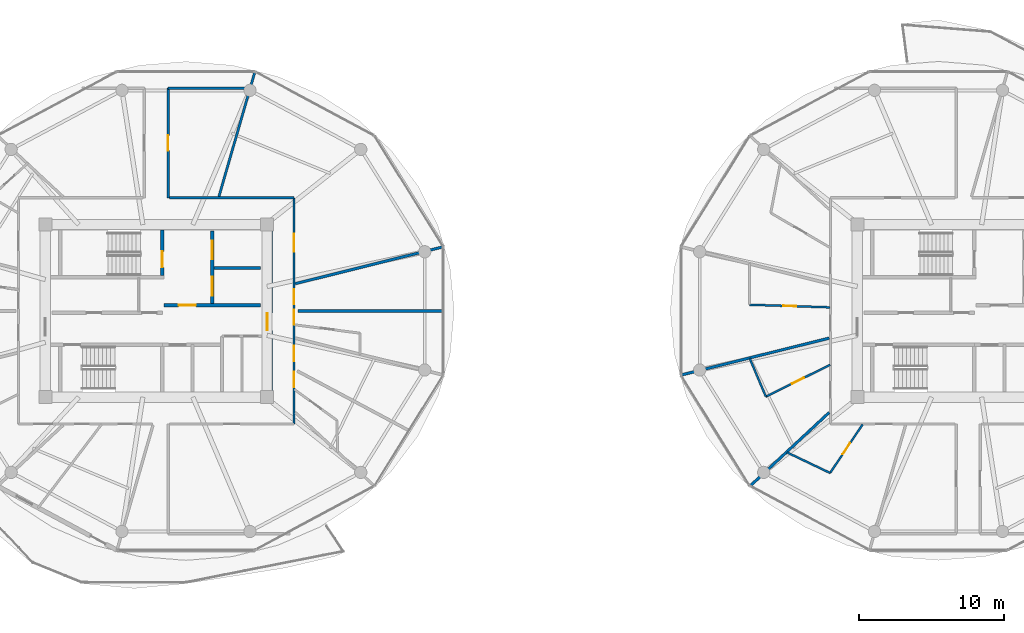
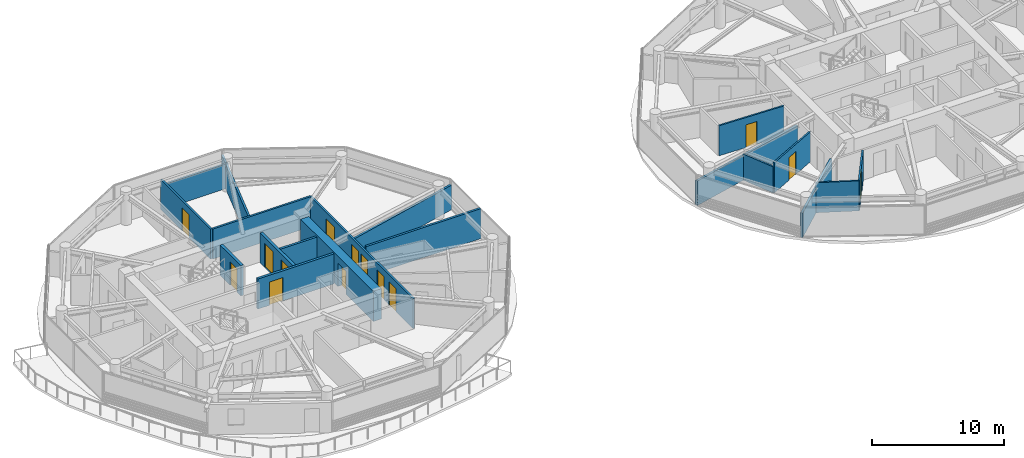
# One storey, part 15 of 24: 19 walls, 14 doors, 14 openings.
"""IFC4 building model written with IfcOpenShell, lengths in metres."""

from ifc_helpers import new_model, si_unit, direction, frame, frame_2d, origin, place, context, subcontext, project, spatial, rectangle, extrude, source, transform, mapped, material, layer, layer_set, type_object, type_shapes, element, fill, save


model = new_model("IFC4")

# Units and contexts
model_context = context("Model", 3, precision=1e-05, world=origin(), true_north=direction((0.0, 1.0)))
body_context = subcontext(model_context, "Body", "Model", "MODEL_VIEW")
ifc_project = project(units=[si_unit("LENGTHUNIT", "METRE"), si_unit("AREAUNIT", "SQUARE_METRE"), si_unit("VOLUMEUNIT", "CUBIC_METRE"), si_unit("PLANEANGLEUNIT", "RADIAN"), si_unit("MASSUNIT", "GRAM", prefix="KILO")], contexts=[model_context])

# Site, building, storey
site_placement = place(None, origin())
site = spatial("IfcSite", under=ifc_project, at=site_placement, CompositionType="ELEMENT")
building_placement = place(site_placement, origin())
building = spatial("IfcBuilding", under=site, at=building_placement, Name="Norrkilde Senior Care Towers", CompositionType="ELEMENT")
storey_placement = place(building_placement, frame((0.0, 0.0, 105.39990234375)))
storey = spatial("IfcBuildingStorey", under=building, at=storey_placement, Name="L32", CompositionType="ELEMENT", Elevation=105.39990234375)

# Wall, opening, door
ifc_material_1 = material(Name="Concrete C60/75", Category="concrete")
ifc_layer_1 = layer(ifc_material_1, 0.719970703125)
ifc_layer_set_1 = layer_set([ifc_layer_1], Name="Concrete C60/75")
wall_type_1 = type_object("IfcWallType", Name="Core Shear Wall Z2 720", PredefinedType="SHEAR", material=ifc_layer_set_1)
shared_shape_1 = source(origin(), body_context, "Body", "SweptSolid", [
    extrude(rectangle(XDim=11.0, YDim=0.719970703125, at=frame_2d((5.5, 0.0))), origin(), (0.0, 0.0, 1.0), 2.7900390625),
])
type_shapes(wall_type_1, [shared_shape_1])
wall_1_placement = place(storey_placement, frame((-20.35009765625, 5.5, 0.0), z_axis=(0.0, 0.0, 1.0), x_axis=(0.0, -1.0, 0.0)))
wall_1 = element("IfcWall", 1, at=wall_1_placement, inside=storey, type_object=wall_type_1, Name="L32 Core W East Shear Wall", PredefinedType="SHEAR", context=body_context, shape_type="MappedRepresentation", body=[
    mapped(shared_shape_1, transform((0.0, 0.0, 0.0), x_axis=(1.0, 0.0, 0.0), y_axis=(0.0, 1.0, 0.0), z_axis=(0.0, 0.0, 1.0), scale=1.0)),
])
opening_1_placement = place(wall_1_placement, frame((5.64990234375, 0.0, 0.0)))
opening_1 = element("IfcOpeningElement", 2, at=opening_1_placement, cuts=wall_1, Name="Opening D-04", PredefinedType="OPENING", context=body_context, shape_type="SweptSolid", body=[
    extrude(rectangle(XDim=1.199951171875, YDim=2.14990234375, at=frame_2d((0.60009765625, 1.074951171875))), frame((0.0, 0.369873046875, 0.0), z_axis=(0.0, -1.0, 0.0), x_axis=(1.0, 0.0, 0.0)), (0.0, 0.0, 1.0), 0.739990234375),
])
ifc_material_2 = material(Name="Galvanised Painted Steel", Category="steel")
door_type_1 = type_object("IfcDoorType", Name="Firefighting Lobby Fire Door 1200x2150", OperationType="NOTDEFINED", PredefinedType="DOOR", material=ifc_material_2)
shared_shape_2 = source(origin(), body_context, "Body", "SweptSolid", [
    extrude(rectangle(XDim=1.199951171875, YDim=2.14990234375, at=frame_2d((0.60009765625, 1.074951171875))), frame((0.0, 0.02490234375, 0.0), z_axis=(0.0, -1.0, 0.0), x_axis=(1.0, 0.0, 0.0)), (0.0, 0.0, 1.0), 0.050048828125),
])
type_shapes(door_type_1, [shared_shape_2])
door_1_placement = place(opening_1_placement, frame((1.199951171875, 0.0, 0.0), z_axis=(0.0, 0.0, 1.0), x_axis=(-1.0, 0.0, 0.0)))
door_1 = element("IfcDoor", 3, at=door_1_placement, inside=storey, type_object=door_type_1, Name="L32 Core W East Portal Door", OperationType="SINGLE_SWING_RIGHT", OverallHeight=2.14990234375, OverallWidth=1.199951171875, PredefinedType="DOOR", context=body_context, shape_type="MappedRepresentation", body=[
    mapped(shared_shape_2, transform((0.0, 0.0, 0.0), x_axis=(1.0, 0.0, 0.0), y_axis=(0.0, 1.0, 0.0), z_axis=(0.0, 0.0, 1.0), scale=1.0)),
])
fill(opening_1, door_1)

# Wall, openings, doors
ifc_material_3 = material(Name="Concrete C45/55", Category="concrete")
ifc_layer_2 = layer(ifc_material_3, 0.239990234375)
ifc_layer_set_2 = layer_set([ifc_layer_2], Name="Concrete C45/55")
wall_type_2 = type_object("IfcWallType", Name="Lift and Plant Rated Enclosure Partition 240", PredefinedType="PARTITIONING", material=ifc_layer_set_2)
shared_shape_3 = source(origin(), body_context, "Body", "SweptSolid", [
    extrude(rectangle(XDim=5.0, YDim=0.239990234375, at=frame_2d((2.5, 0.0))), origin(), (0.0, 0.0, 1.0), 2.775146484375),
])
type_shapes(wall_type_2, [shared_shape_3])
wall_2_placement = place(storey_placement, frame((-24.139892578125, 0.5, 0.0), z_axis=(0.0, 0.0, 1.0), x_axis=(0.0, 1.0, 0.0)))
wall_2 = element("IfcWall", 4, at=wall_2_placement, inside=storey, type_object=wall_type_2, Name="WL-INT-L32-W-FFLE", PredefinedType="PARTITIONING", context=body_context, shape_type="MappedRepresentation", body=[
    mapped(shared_shape_3, transform((0.0, 0.0, 0.0), x_axis=(1.0, 0.0, 0.0), y_axis=(0.0, 1.0, 0.0), z_axis=(0.0, 0.0, 1.0), scale=1.0)),
])
opening_2_placement = place(wall_2_placement, frame((3.050048828125, 0.0, 0.0)))
opening_2 = element("IfcOpeningElement", 5, at=opening_2_placement, cuts=wall_2, Name="Opening LD-02", PredefinedType="OPENING", context=body_context, shape_type="SweptSolid", body=[
    extrude(rectangle(XDim=1.300048828125, YDim=2.199951171875, at=frame_2d((0.64990234375, 1.10009765625))), frame((0.0, 0.1298828125, 0.0), z_axis=(0.0, -1.0, 0.0), x_axis=(1.0, 0.0, 0.0)), (0.0, 0.0, 1.0), 0.260009765625),
])
opening_3_placement = place(wall_2_placement, frame((0.550048828125, 0.0, 0.0)))
opening_3 = element("IfcOpeningElement", 6, at=opening_3_placement, cuts=wall_2, Name="Opening LD-02", PredefinedType="OPENING", context=body_context, shape_type="SweptSolid", body=[
    extrude(rectangle(XDim=1.300048828125, YDim=2.199951171875, at=frame_2d((0.64990234375, 1.10009765625))), frame((0.0, 0.1298828125, 0.0), z_axis=(0.0, -1.0, 0.0), x_axis=(1.0, 0.0, 0.0)), (0.0, 0.0, 1.0), 0.260009765625),
])
ifc_material_4 = material(Name="Stainless Steel", Category="steel")
door_type_2 = type_object("IfcDoorType", Name="Stretcher and FFL Landing Sliding Door 1300x2200", OperationType="NOTDEFINED", PredefinedType="DOOR", material=ifc_material_4)
shared_shape_4 = source(origin(), body_context, "Body", "SweptSolid", [
    extrude(rectangle(XDim=1.300048828125, YDim=2.199951171875, at=frame_2d((0.64990234375, 1.10009765625))), frame((0.0, 0.02490234375, 0.0), z_axis=(0.0, -1.0, 0.0), x_axis=(1.0, 0.0, 0.0)), (0.0, 0.0, 1.0), 0.050048828125),
])
type_shapes(door_type_2, [shared_shape_4])
door_2_placement = place(opening_2_placement, origin())
door_2 = element("IfcDoor", 7, at=door_2_placement, inside=storey, type_object=door_type_2, Name="L32 Firefighting Lift W1 Landing Door", OperationType="SLIDING_TO_LEFT", OverallHeight=2.199951171875, OverallWidth=1.300048828125, PredefinedType="DOOR", context=body_context, shape_type="MappedRepresentation", body=[
    mapped(shared_shape_4, transform((0.0, 0.0, 0.0), x_axis=(1.0, 0.0, 0.0), y_axis=(0.0, 1.0, 0.0), z_axis=(0.0, 0.0, 1.0), scale=1.0)),
])
fill(opening_2, door_2)
door_3_placement = place(opening_3_placement, origin())
door_3 = element("IfcDoor", 8, at=door_3_placement, inside=storey, type_object=door_type_2, Name="L32 Stretcher Lift W1 Landing Door", OperationType="SLIDING_TO_RIGHT", OverallHeight=2.199951171875, OverallWidth=1.300048828125, PredefinedType="DOOR", context=body_context, shape_type="MappedRepresentation", body=[
    mapped(shared_shape_4, transform((0.0, 0.0, 0.0), x_axis=(1.0, 0.0, 0.0), y_axis=(0.0, 1.0, 0.0), z_axis=(0.0, 0.0, 1.0), scale=1.0)),
])
fill(opening_3, door_3)

# Wall
ifc_layer_3 = layer(ifc_material_3, 0.199951171875)
ifc_layer_set_3 = layer_set([ifc_layer_3], Name="Concrete C45/55")
wall_type_3 = type_object("IfcWallType", Name="Shaft Division and Plant Partition 200", PredefinedType="PARTITIONING", material=ifc_layer_set_3)
shared_shape_5 = source(origin(), body_context, "Body", "SweptSolid", [
    extrude(rectangle(XDim=3.199951171875, YDim=0.199951171875, at=frame_2d((1.60009765625, 0.0))), origin(), (0.0, 0.0, 1.0), 2.775146484375),
])
type_shapes(wall_type_3, [shared_shape_5])
wall_3_placement = place(storey_placement, frame((-24.0, 2.949951171875, 0.0), z_axis=(0.0, 0.0, 1.0), x_axis=(1.0, 0.0, 0.0)))
element("IfcWall", 9, at=wall_3_placement, inside=storey, type_object=wall_type_3, Name="WL-INT-L32-W-FFLDIV", PredefinedType="PARTITIONING", context=body_context, shape_type="MappedRepresentation", body=[
    mapped(shared_shape_5, transform((0.0, 0.0, 0.0), x_axis=(1.0, 0.0, 0.0), y_axis=(0.0, 1.0, 0.0), z_axis=(0.0, 0.0, 1.0), scale=1.0)),
])

# Wall, opening, door
ifc_layer_4 = layer(ifc_material_3, 0.2099609375)
ifc_layer_set_4 = layer_set([ifc_layer_4], Name="Concrete C45/55")
wall_type_4 = type_object("IfcWallType", Name="Firefighting Lobby Wall 210", PredefinedType="PARTITIONING", material=ifc_layer_set_4)
shared_shape_6 = source(origin(), body_context, "Body", "SweptSolid", [
    extrude(rectangle(XDim=6.659912109375, YDim=0.2099609375, at=frame_2d((3.330078125, 0.0))), origin(), (0.0, 0.0, 1.0), 2.775146484375),
])
type_shapes(wall_type_4, [shared_shape_6])
wall_4_placement = place(storey_placement, frame((-27.4599609375, 0.389892578125, 0.0), z_axis=(0.0, 0.0, 1.0), x_axis=(1.0, 0.0, 0.0)))
wall_4 = element("IfcWall", 10, at=wall_4_placement, inside=storey, type_object=wall_type_4, Name="WL-INT-L32-W-FFLS", PredefinedType="PARTITIONING", context=body_context, shape_type="MappedRepresentation", body=[
    mapped(shared_shape_6, transform((0.0, 0.0, 0.0), x_axis=(1.0, 0.0, 0.0), y_axis=(0.0, 1.0, 0.0), z_axis=(0.0, 0.0, 1.0), scale=1.0)),
])
opening_4_placement = place(wall_4_placement, frame((1.0, 0.0, 0.0)))
opening_4 = element("IfcOpeningElement", 11, at=opening_4_placement, cuts=wall_4, Name="Opening D-04", PredefinedType="OPENING", context=body_context, shape_type="SweptSolid", body=[
    extrude(rectangle(XDim=1.199951171875, YDim=2.14990234375, at=frame_2d((0.60009765625, 1.074951171875))), frame((0.0, 0.114990234375, 0.0), z_axis=(0.0, -1.0, 0.0), x_axis=(1.0, 0.0, 0.0)), (0.0, 0.0, 1.0), 0.22998046875),
])
door_4_placement = place(opening_4_placement, frame((1.199951171875, 0.0, 0.0), z_axis=(0.0, 0.0, 1.0), x_axis=(-1.0, 0.0, 0.0)))
door_4 = element("IfcDoor", 12, at=door_4_placement, inside=storey, type_object=door_type_1, Name="L32 Firefighting Lobby W Door", OperationType="SINGLE_SWING_LEFT", OverallHeight=2.14990234375, OverallWidth=1.199951171875, PredefinedType="DOOR", context=body_context, shape_type="MappedRepresentation", body=[
    mapped(shared_shape_2, transform((0.0, 0.0, 0.0), x_axis=(1.0, 0.0, 0.0), y_axis=(0.0, 1.0, 0.0), z_axis=(0.0, 0.0, 1.0), scale=1.0)),
])
fill(opening_4, door_4)

# Wall, openings, doors
ifc_material_5 = material(Name="Gypsum Acoustic Board")
ifc_layer_5 = layer(ifc_material_5, 0.1650390625)
ifc_layer_set_5 = layer_set([ifc_layer_5], Name="Gypsum Acoustic Board")
wall_type_5 = type_object("IfcWallType", Name="Corridor Rated Partition 165", PredefinedType="PARTITIONING", material=ifc_layer_set_5)
shared_shape_7 = source(origin(), body_context, "Body", "SweptSolid", [
    extrude(rectangle(XDim=15.60009765625, YDim=0.1650390625, at=frame_2d((7.800048828125, 0.0))), origin(), (0.0, 0.0, 1.0), 2.775146484375),
])
wall_5_placement = place(storey_placement, frame((-18.5, 7.800048828125, 0.0), z_axis=(0.0, 0.0, 1.0), x_axis=(0.0, -1.0, 0.0)))
wall_5 = element("IfcWall", 13, at=wall_5_placement, inside=storey, type_object=wall_type_5, Name="WL-INT-L32-W-CRW-E-0", PredefinedType="PARTITIONING", context=body_context, shape_type="MappedRepresentation", body=[
    mapped(shared_shape_7, transform((0.0, 0.0, 0.0), x_axis=(1.0, 0.0, 0.0), y_axis=(0.0, 1.0, 0.0), z_axis=(0.0, 0.0, 1.0), scale=1.0)),
])
opening_5_placement = place(wall_5_placement, frame((12.001953125, 0.0, 0.0)))
opening_5 = element("IfcOpeningElement", 14, at=opening_5_placement, cuts=wall_5, Name="Opening D-06", PredefinedType="OPENING", context=body_context, shape_type="SweptSolid", body=[
    extrude(rectangle(XDim=1.050048828125, YDim=2.14990234375, at=frame_2d((0.52490234375, 1.074951171875))), frame((0.0, 0.092529296875, 0.0), z_axis=(0.0, -1.0, 0.0), x_axis=(1.0, 0.0, 0.0)), (0.0, 0.0, 1.0), 0.18505859375),
])
opening_6_placement = place(wall_5_placement, frame((10.210693359375, 0.0, 0.0)))
opening_6 = element("IfcOpeningElement", 15, at=opening_6_placement, cuts=wall_5, Name="Opening D-06", PredefinedType="OPENING", context=body_context, shape_type="SweptSolid", body=[
    extrude(rectangle(XDim=1.050048828125, YDim=2.14990234375, at=frame_2d((0.52490234375, 1.074951171875))), frame((0.0, 0.092529296875, 0.0), z_axis=(0.0, -1.0, 0.0), x_axis=(1.0, 0.0, 0.0)), (0.0, 0.0, 1.0), 0.18505859375),
])
opening_7_placement = place(wall_5_placement, frame((7.721923828125, 0.0, 0.0)))
opening_7 = element("IfcOpeningElement", 16, at=opening_7_placement, cuts=wall_5, Name="Opening D-06", PredefinedType="OPENING", context=body_context, shape_type="SweptSolid", body=[
    extrude(rectangle(XDim=1.050048828125, YDim=2.14990234375, at=frame_2d((0.52490234375, 1.074951171875))), frame((0.0, 0.092529296875, 0.0), z_axis=(0.0, -1.0, 0.0), x_axis=(1.0, 0.0, 0.0)), (0.0, 0.0, 1.0), 0.18505859375),
])
opening_8_placement = place(wall_5_placement, frame((6.290771484375, 0.0, 0.0)))
opening_8 = element("IfcOpeningElement", 17, at=opening_8_placement, cuts=wall_5, Name="Opening D-06", PredefinedType="OPENING", context=body_context, shape_type="SweptSolid", body=[
    extrude(rectangle(XDim=1.050048828125, YDim=2.14990234375, at=frame_2d((0.52490234375, 1.074951171875))), frame((0.0, 0.092529296875, 0.0), z_axis=(0.0, -1.0, 0.0), x_axis=(1.0, 0.0, 0.0)), (0.0, 0.0, 1.0), 0.18505859375),
])
opening_9_placement = place(wall_5_placement, frame((2.464599609375, 0.0, 0.0)))
opening_9 = element("IfcOpeningElement", 18, at=opening_9_placement, cuts=wall_5, Name="Opening D-05", PredefinedType="OPENING", context=body_context, shape_type="SweptSolid", body=[
    extrude(rectangle(XDim=1.25, YDim=2.199951171875, at=frame_2d((0.625, 1.10009765625))), frame((0.0, 0.092529296875, 0.0), z_axis=(0.0, -1.0, 0.0), x_axis=(1.0, 0.0, 0.0)), (0.0, 0.0, 1.0), 0.18505859375),
])
ifc_material_6 = material(Name="Nordic Ash Timber", Category="wood")
door_type_3 = type_object("IfcDoorType", Name="Care Bedroom Bariatric Door 1250x2200", OperationType="NOTDEFINED", PredefinedType="DOOR", material=ifc_material_6)
shared_shape_8 = source(origin(), body_context, "Body", "SweptSolid", [
    extrude(rectangle(XDim=1.25, YDim=2.199951171875, at=frame_2d((0.625, 1.10009765625))), frame((0.0, 0.02490234375, 0.0), z_axis=(0.0, -1.0, 0.0), x_axis=(1.0, 0.0, 0.0)), (0.0, 0.0, 1.0), 0.050048828125),
])
type_shapes(door_type_3, [shared_shape_8])
door_5_placement = place(opening_9_placement, frame((1.25, 0.0, 0.0), z_axis=(0.0, 0.0, 1.0), x_axis=(-1.0, 0.0, 0.0)))
door_5 = element("IfcDoor", 19, at=door_5_placement, inside=storey, type_object=door_type_3, Name="L32 Resident Family Conference Room Door", OperationType="SINGLE_SWING_LEFT", OverallHeight=2.199951171875, OverallWidth=1.25, PredefinedType="DOOR", context=body_context, shape_type="MappedRepresentation", body=[
    mapped(shared_shape_8, transform((0.0, 0.0, 0.0), x_axis=(1.0, 0.0, 0.0), y_axis=(0.0, 1.0, 0.0), z_axis=(0.0, 0.0, 1.0), scale=1.0)),
])
fill(opening_9, door_5)
door_type_4 = type_object("IfcDoorType", Name="Apartment Entrance Fire Door 1050x2150", OperationType="NOTDEFINED", PredefinedType="DOOR", material=ifc_material_6)
shared_shape_9 = source(origin(), body_context, "Body", "SweptSolid", [
    extrude(rectangle(XDim=1.050048828125, YDim=2.14990234375, at=frame_2d((0.52490234375, 1.074951171875))), frame((0.0, 0.02490234375, 0.0), z_axis=(0.0, -1.0, 0.0), x_axis=(1.0, 0.0, 0.0)), (0.0, 0.0, 1.0), 0.050048828125),
])
type_shapes(door_type_4, [shared_shape_9])
door_6_placement = place(opening_5_placement, frame((1.050048828125, 0.0, 0.0), z_axis=(0.0, 0.0, 1.0), x_axis=(-1.0, 0.0, 0.0)))
door_6 = element("IfcDoor", 20, at=door_6_placement, inside=storey, type_object=door_type_4, Name="L32 Care Suite 3210A Entrance Door", OperationType="SINGLE_SWING_LEFT", OverallHeight=2.14990234375, OverallWidth=1.050048828125, PredefinedType="DOOR", context=body_context, shape_type="MappedRepresentation", body=[
    mapped(shared_shape_9, transform((0.0, 0.0, 0.0), x_axis=(1.0, 0.0, 0.0), y_axis=(0.0, 1.0, 0.0), z_axis=(0.0, 0.0, 1.0), scale=1.0)),
])
fill(opening_5, door_6)
door_7_placement = place(opening_6_placement, frame((1.050048828125, 0.0, 0.0), z_axis=(0.0, 0.0, 1.0), x_axis=(-1.0, 0.0, 0.0)))
door_7 = element("IfcDoor", 21, at=door_7_placement, inside=storey, type_object=door_type_4, Name="L32 Therapy Day Lounge 10 Door", OperationType="SINGLE_SWING_RIGHT", OverallHeight=2.14990234375, OverallWidth=1.050048828125, PredefinedType="DOOR", context=body_context, shape_type="MappedRepresentation", body=[
    mapped(shared_shape_9, transform((0.0, 0.0, 0.0), x_axis=(1.0, 0.0, 0.0), y_axis=(0.0, 1.0, 0.0), z_axis=(0.0, 0.0, 1.0), scale=1.0)),
])
fill(opening_6, door_7)
door_8_placement = place(opening_7_placement, frame((1.050048828125, 0.0, 0.0), z_axis=(0.0, 0.0, 1.0), x_axis=(-1.0, 0.0, 0.0)))
door_8 = element("IfcDoor", 22, at=door_8_placement, inside=storey, type_object=door_type_4, Name="L32 Care Suite 3211A Entrance Door", OperationType="SINGLE_SWING_RIGHT", OverallHeight=2.14990234375, OverallWidth=1.050048828125, PredefinedType="DOOR", context=body_context, shape_type="MappedRepresentation", body=[
    mapped(shared_shape_9, transform((0.0, 0.0, 0.0), x_axis=(1.0, 0.0, 0.0), y_axis=(0.0, 1.0, 0.0), z_axis=(0.0, 0.0, 1.0), scale=1.0)),
])
fill(opening_7, door_8)
door_9_placement = place(opening_8_placement, frame((1.050048828125, 0.0, 0.0), z_axis=(0.0, 0.0, 1.0), x_axis=(-1.0, 0.0, 0.0)))
door_9 = element("IfcDoor", 23, at=door_9_placement, inside=storey, type_object=door_type_4, Name="L32 Therapy Day Lounge 11 Door", OperationType="SINGLE_SWING_LEFT", OverallHeight=2.14990234375, OverallWidth=1.050048828125, PredefinedType="DOOR", context=body_context, shape_type="MappedRepresentation", body=[
    mapped(shared_shape_9, transform((0.0, 0.0, 0.0), x_axis=(1.0, 0.0, 0.0), y_axis=(0.0, 1.0, 0.0), z_axis=(0.0, 0.0, 1.0), scale=1.0)),
])
fill(opening_8, door_9)

# Wall, opening, door
ifc_layer_6 = layer(ifc_material_3, 0.239990234375)
ifc_layer_set_6 = layer_set([ifc_layer_6], Name="Concrete C45/55")
wall_type_6 = type_object("IfcWallType", Name="Shaft and Stair Enclosure Wall 240", PredefinedType="PARTITIONING", material=ifc_layer_set_6)
shared_shape_10 = source(origin(), body_context, "Body", "SweptSolid", [
    extrude(rectangle(XDim=3.14013671875, YDim=0.239990234375, at=frame_2d((1.570068359375, 0.0))), origin(), (0.0, 0.0, 1.0), 2.7900390625),
])
type_shapes(wall_type_6, [shared_shape_10])
wall_6_placement = place(storey_placement, frame((-27.580078125, 2.449951171875, 0.0), z_axis=(0.0, 0.0, 1.0), x_axis=(0.0, 1.0, 0.0)))
wall_6 = element("IfcWall", 24, at=wall_6_placement, inside=storey, type_object=wall_type_6, Name="WL-INT-L32-W-ST1E", PredefinedType="PARTITIONING", context=body_context, shape_type="MappedRepresentation", body=[
    mapped(shared_shape_10, transform((0.0, 0.0, 0.0), x_axis=(1.0, 0.0, 0.0), y_axis=(0.0, 1.0, 0.0), z_axis=(0.0, 0.0, 1.0), scale=1.0)),
])
opening_10_placement = place(wall_6_placement, frame((0.550048828125, 0.0, 0.0)))
opening_10 = element("IfcOpeningElement", 25, at=opening_10_placement, cuts=wall_6, Name="Opening D-03", PredefinedType="OPENING", context=body_context, shape_type="SweptSolid", body=[
    extrude(rectangle(XDim=1.10009765625, YDim=2.14990234375, at=frame_2d((0.550048828125, 1.074951171875))), frame((0.0, 0.1298828125, 0.0), z_axis=(0.0, -1.0, 0.0), x_axis=(1.0, 0.0, 0.0)), (0.0, 0.0, 1.0), 0.260009765625),
])
door_type_5 = type_object("IfcDoorType", Name="Stairwell Protected Fire Door 1100x2150", OperationType="NOTDEFINED", PredefinedType="DOOR", material=ifc_material_2)
shared_shape_11 = source(origin(), body_context, "Body", "SweptSolid", [
    extrude(rectangle(XDim=1.10009765625, YDim=2.14990234375, at=frame_2d((0.550048828125, 1.074951171875))), frame((0.0, 0.02490234375, 0.0), z_axis=(0.0, -1.0, 0.0), x_axis=(1.0, 0.0, 0.0)), (0.0, 0.0, 1.0), 0.050048828125),
])
type_shapes(door_type_5, [shared_shape_11])
door_10_placement = place(opening_10_placement, origin())
door_10 = element("IfcDoor", 26, at=door_10_placement, inside=storey, type_object=door_type_5, Name="L32 Stair W1 Fire Door", OperationType="SINGLE_SWING_LEFT", OverallHeight=2.14990234375, OverallWidth=1.10009765625, PredefinedType="DOOR", context=body_context, shape_type="MappedRepresentation", body=[
    mapped(shared_shape_11, transform((0.0, 0.0, 0.0), x_axis=(1.0, 0.0, 0.0), y_axis=(0.0, 1.0, 0.0), z_axis=(0.0, 0.0, 1.0), scale=1.0)),
])
fill(opening_10, door_10)

# Walls
ifc_layer_7 = layer(ifc_material_5, 0.18994140625)
ifc_layer_set_7 = layer_set([ifc_layer_7], Name="Gypsum Acoustic Board")
wall_type_7 = type_object("IfcWallType", Name="Unit Demising Acoustic Wall 190", PredefinedType="PARTITIONING", material=ifc_layer_set_7)
shared_shape_12 = source(origin(), body_context, "Body", "SweptSolid", [
    extrude(rectangle(XDim=7.482177734375, YDim=0.18994140625, at=frame_2d((3.7412109375, 0.0))), origin(), (0.0, 0.0, 1.0), 2.275146484375),
])
wall_7_placement = place(storey_placement, frame((18.419921875, -6.998046875, 0.0), z_axis=(0.0, 0.0, 1.0), x_axis=(-0.732508698043, -0.680757671489, 0.0)))
element("IfcWall", 27, at=wall_7_placement, inside=storey, type_object=wall_type_7, Name="WL-INT-L32-E-DEM-07-0", PredefinedType="PARTITIONING", context=body_context, shape_type="MappedRepresentation", body=[
    mapped(shared_shape_12, transform((0.0, 0.0, 0.0), x_axis=(1.0, 0.0, 0.0), y_axis=(0.0, 1.0, 0.0), z_axis=(0.0, 0.0, 1.0), scale=1.0)),
])
shared_shape_13 = source(origin(), body_context, "Body", "SweptSolid", [
    extrude(rectangle(XDim=10.5556640625, YDim=0.18994140625, at=frame_2d((5.27783203125, 0.0))), origin(), (0.0, 0.0, 1.0), 2.275146484375),
])
for number, where, z_axis, x_axis, name in (
    (28, (-18.419921875, 1.875, 0.0), (0.0, 0.0, 1.0), (0.970363857851, 0.241648470667, 0.0), "WL-INT-L32-W-DEM-00-0"),
    (29, (18.419921875, -1.875, 0.0), (0.0, 0.0, 1.0), (-0.970363857851, -0.241648470667, 0.0), "WL-INT-L32-E-DEM-06-0"),
):
    element("IfcWall", number, at=place(storey_placement, frame(where, z_axis=z_axis, x_axis=x_axis)), inside=storey, type_object=wall_type_7, Name=name, PredefinedType="PARTITIONING", context=body_context, shape_type="MappedRepresentation", body=[
        mapped(shared_shape_13, transform((0.0, 0.0, 0.0), x_axis=(1.0, 0.0, 0.0), y_axis=(0.0, 1.0, 0.0), z_axis=(0.0, 0.0, 1.0), scale=1.0)),
    ])
shared_shape_14 = source(origin(), body_context, "Body", "SweptSolid", [
    extrude(rectangle(XDim=8.60009765625, YDim=0.1650390625, at=frame_2d((4.300048828125, 0.0))), origin(), (0.0, 0.0, 1.0), 2.775146484375),
])
wall_8_placement = place(storey_placement, frame((-27.10009765625, 7.800048828125, 0.0), z_axis=(0.0, 0.0, 1.0), x_axis=(1.0, 0.0, 0.0)))
element("IfcWall", 30, at=wall_8_placement, inside=storey, type_object=wall_type_5, Name="WL-INT-L32-W-CRW-N-1", PredefinedType="PARTITIONING", context=body_context, shape_type="MappedRepresentation", body=[
    mapped(shared_shape_14, transform((0.0, 0.0, 0.0), x_axis=(1.0, 0.0, 0.0), y_axis=(0.0, 1.0, 0.0), z_axis=(0.0, 0.0, 1.0), scale=1.0)),
])
shared_shape_15 = source(origin(), body_context, "Body", "SweptSolid", [
    extrude(rectangle(XDim=8.9892578125, YDim=0.1650390625, at=frame_2d((4.49462890625, 0.0))), origin(), (0.0, 0.0, 1.0), 2.275146484375),
])
wall_9_placement = place(storey_placement, frame((-23.677978515625, 7.8798828125, 0.0), z_axis=(0.0, 0.0, 1.0), x_axis=(0.27702323008, 0.960863221274, 0.0)))
element("IfcWall", 31, at=wall_9_placement, inside=storey, type_object=wall_type_5, Name="WL-INT-L32-W-DEM-02-0", PredefinedType="PARTITIONING", context=body_context, shape_type="MappedRepresentation", body=[
    mapped(shared_shape_15, transform((0.0, 0.0, 0.0), x_axis=(1.0, 0.0, 0.0), y_axis=(0.0, 1.0, 0.0), z_axis=(0.0, 0.0, 1.0), scale=1.0)),
])

# Wall, opening, door
shared_shape_16 = source(origin(), body_context, "Body", "SweptSolid", [
    extrude(rectangle(XDim=7.56005859375, YDim=0.1650390625, at=frame_2d((3.780029296875, 0.0))), origin(), (0.0, 0.0, 1.0), 2.775146484375),
])
wall_10_placement = place(storey_placement, frame((-27.179931640625, 7.800048828125, 0.0), z_axis=(0.0, 0.0, 1.0), x_axis=(0.0, 1.0, 0.0)))
wall_10 = element("IfcWall", 32, at=wall_10_placement, inside=storey, type_object=wall_type_5, Name="WL-INT-L32-W-PKW-NEL", PredefinedType="PARTITIONING", context=body_context, shape_type="MappedRepresentation", body=[
    mapped(shared_shape_16, transform((0.0, 0.0, 0.0), x_axis=(1.0, 0.0, 0.0), y_axis=(0.0, 1.0, 0.0), z_axis=(0.0, 0.0, 1.0), scale=1.0)),
])
opening_11_placement = place(wall_10_placement, frame((3.2548828125, 0.0, 0.0)))
opening_11 = element("IfcOpeningElement", 33, at=opening_11_placement, cuts=wall_10, Name="Opening D-06", PredefinedType="OPENING", context=body_context, shape_type="SweptSolid", body=[
    extrude(rectangle(XDim=1.050048828125, YDim=2.14990234375, at=frame_2d((0.52490234375, 1.074951171875))), frame((0.0, 0.092529296875, 0.0), z_axis=(0.0, -1.0, 0.0), x_axis=(1.0, 0.0, 0.0)), (0.0, 0.0, 1.0), 0.18505859375),
])
door_11_placement = place(opening_11_placement, frame((1.050048828125, 0.0, 0.0), z_axis=(0.0, 0.0, 1.0), x_axis=(-1.0, 0.0, 0.0)))
door_11 = element("IfcDoor", 34, at=door_11_placement, inside=storey, type_object=door_type_4, Name="L32 Reading Lounge NEL Door", OperationType="SINGLE_SWING_RIGHT", OverallHeight=2.14990234375, OverallWidth=1.050048828125, PredefinedType="DOOR", context=body_context, shape_type="MappedRepresentation", body=[
    mapped(shared_shape_9, transform((0.0, 0.0, 0.0), x_axis=(1.0, 0.0, 0.0), y_axis=(0.0, 1.0, 0.0), z_axis=(0.0, 0.0, 1.0), scale=1.0)),
])
fill(opening_11, door_11)

# Walls
shared_shape_17 = source(origin(), body_context, "Body", "SweptSolid", [
    extrude(rectangle(XDim=5.81396484375, YDim=0.1650390625, at=frame_2d((2.906982421875, 0.0))), origin(), (0.0, 0.0, 1.0), 2.275146484375),
])
type_shapes(wall_type_5, [shared_shape_7, shared_shape_14, shared_shape_15, shared_shape_16, shared_shape_17])
wall_11_placement = place(storey_placement, frame((-27.179931640625, 15.360107421875, 0.0), z_axis=(0.0, 0.0, 1.0), x_axis=(1.0, 0.0, 0.0)))
element("IfcWall", 35, at=wall_11_placement, inside=storey, type_object=wall_type_5, Name="WL-INT-L32-W-PKH-NEL-0", PredefinedType="PARTITIONING", context=body_context, shape_type="MappedRepresentation", body=[
    mapped(shared_shape_17, transform((0.0, 0.0, 0.0), x_axis=(1.0, 0.0, 0.0), y_axis=(0.0, 1.0, 0.0), z_axis=(0.0, 0.0, 1.0), scale=1.0)),
])
shared_shape_18 = source(origin(), body_context, "Body", "SweptSolid", [
    extrude(rectangle(XDim=10.035888671875, YDim=0.18994140625, at=frame_2d((5.01806640625, 0.0))), origin(), (0.0, 0.0, 1.0), 2.775146484375),
])
type_shapes(wall_type_7, [shared_shape_12, shared_shape_13, shared_shape_18])
wall_12_placement = place(storey_placement, frame((-18.212890625, 0.0, 0.0), z_axis=(0.0, 0.0, 1.0), x_axis=(1.0, 0.0, 0.0)))
element("IfcWall", 36, at=wall_12_placement, inside=storey, type_object=wall_type_7, Name="WL-INT-L32-W-CMID-11", PredefinedType="PARTITIONING", context=body_context, shape_type="MappedRepresentation", body=[
    mapped(shared_shape_18, transform((0.0, 0.0, 0.0), x_axis=(1.0, 0.0, 0.0), y_axis=(0.0, 1.0, 0.0), z_axis=(0.0, 0.0, 1.0), scale=1.0)),
])

# Wall, opening, door
ifc_layer_8 = layer(ifc_material_5, 0.139892578125)
ifc_layer_set_8 = layer_set([ifc_layer_8], Name="Gypsum Acoustic Board")
wall_type_8 = type_object("IfcWallType", Name="En-suite Wet Room Wall 140", PredefinedType="PARTITIONING", material=ifc_layer_set_8)
shared_shape_19 = source(origin(), body_context, "Body", "SweptSolid", [
    extrude(rectangle(XDim=4.02734375, YDim=0.139892578125, at=frame_2d((2.013671875, 0.0))), origin(), (0.0, 0.0, 1.0), 2.775146484375),
])
wall_13_placement = place(storey_placement, frame((20.714111328125, -7.830078125, 0.0), z_axis=(0.0, 0.0, 1.0), x_axis=(-0.555832825922, -0.831294093343, 0.0)))
wall_13 = element("IfcWall", 37, at=wall_13_placement, inside=storey, type_object=wall_type_8, Name="WL-INT-L32-E-ES-07", PredefinedType="PARTITIONING", context=body_context, shape_type="MappedRepresentation", body=[
    mapped(shared_shape_19, transform((0.0, 0.0, 0.0), x_axis=(1.0, 0.0, 0.0), y_axis=(0.0, 1.0, 0.0), z_axis=(0.0, 0.0, 1.0), scale=1.0)),
])
opening_12_placement = place(wall_13_placement, frame((1.5537109375, 0.0, 0.0)))
opening_12 = element("IfcOpeningElement", 38, at=opening_12_placement, cuts=wall_13, Name="Opening D-08", PredefinedType="OPENING", context=body_context, shape_type="SweptSolid", body=[
    extrude(rectangle(XDim=0.919921875, YDim=2.10009765625, at=frame_2d((0.4599609375, 1.050048828125))), frame((0.0, 0.079833984375, 0.0), z_axis=(0.0, -1.0, 0.0), x_axis=(1.0, 0.0, 0.0)), (0.0, 0.0, 1.0), 0.159912109375),
])
door_type_6 = type_object("IfcDoorType", Name="Accessible Wet Room Door 920x2100", OperationType="NOTDEFINED", PredefinedType="DOOR", material=ifc_material_6)
shared_shape_20 = source(origin(), body_context, "Body", "SweptSolid", [
    extrude(rectangle(XDim=0.919921875, YDim=2.10009765625, at=frame_2d((0.4599609375, 1.050048828125))), frame((0.0, 0.02490234375, 0.0), z_axis=(0.0, -1.0, 0.0), x_axis=(1.0, 0.0, 0.0)), (0.0, 0.0, 1.0), 0.050048828125),
])
type_shapes(door_type_6, [shared_shape_20])
door_12_placement = place(opening_12_placement, origin())
door_12 = element("IfcDoor", 39, at=door_12_placement, inside=storey, type_object=door_type_6, Name="L32 Studio 32D Bathroom Door", OperationType="SINGLE_SWING_LEFT", OverallHeight=2.10009765625, OverallWidth=0.919921875, PredefinedType="DOOR", context=body_context, shape_type="MappedRepresentation", body=[
    mapped(shared_shape_20, transform((0.0, 0.0, 0.0), x_axis=(1.0, 0.0, 0.0), y_axis=(0.0, 1.0, 0.0), z_axis=(0.0, 0.0, 1.0), scale=1.0)),
])
fill(opening_12, door_12)

# Wall
shared_shape_21 = source(origin(), body_context, "Body", "SweptSolid", [
    extrude(rectangle(XDim=3.291015625, YDim=0.139892578125, at=frame_2d((1.6455078125, 0.0))), origin(), (0.0, 0.0, 1.0), 2.775146484375),
])
wall_14_placement = place(storey_placement, frame((18.4755859375, -11.177978515625, 0.0), z_axis=(0.0, 0.0, 1.0), x_axis=(-0.902381393443, 0.430938302739, 0.0)))
element("IfcWall", 40, at=wall_14_placement, inside=storey, type_object=wall_type_8, Name="WL-INT-L32-E-EF-07", PredefinedType="PARTITIONING", context=body_context, shape_type="MappedRepresentation", body=[
    mapped(shared_shape_21, transform((0.0, 0.0, 0.0), x_axis=(1.0, 0.0, 0.0), y_axis=(0.0, 1.0, 0.0), z_axis=(0.0, 0.0, 1.0), scale=1.0)),
])

# Wall, opening, door
shared_shape_22 = source(origin(), body_context, "Body", "SweptSolid", [
    extrude(rectangle(XDim=5.556884765625, YDim=0.139892578125, at=frame_2d((2.7783203125, 0.0))), origin(), (0.0, 0.0, 1.0), 2.775146484375),
])
wall_15_placement = place(storey_placement, frame((18.469970703125, 0.244140625, 0.0), z_axis=(0.0, 0.0, 1.0), x_axis=(-0.999468495627, 0.03259948234, 0.0)))
wall_15 = element("IfcWall", 41, at=wall_15_placement, inside=storey, type_object=wall_type_8, Name="WL-INT-L32-E-ES-05", PredefinedType="PARTITIONING", context=body_context, shape_type="MappedRepresentation", body=[
    mapped(shared_shape_22, transform((0.0, 0.0, 0.0), x_axis=(1.0, 0.0, 0.0), y_axis=(0.0, 1.0, 0.0), z_axis=(0.0, 0.0, 1.0), scale=1.0)),
])
opening_13_placement = place(wall_15_placement, frame((2.318359375, 0.0, 0.0)))
opening_13 = element("IfcOpeningElement", 42, at=opening_13_placement, cuts=wall_15, Name="Opening D-08", PredefinedType="OPENING", context=body_context, shape_type="SweptSolid", body=[
    extrude(rectangle(XDim=0.919921875, YDim=2.10009765625, at=frame_2d((0.4599609375, 1.050048828125))), frame((0.0, 0.079833984375, 0.0), z_axis=(0.0, -1.0, 0.0), x_axis=(1.0, 0.0, 0.0)), (0.0, 0.0, 1.0), 0.159912109375),
])
door_13_placement = place(opening_13_placement, origin())
door_13 = element("IfcDoor", 43, at=door_13_placement, inside=storey, type_object=door_type_6, Name="L32 Studio 32B Bathroom Door", OperationType="SINGLE_SWING_LEFT", OverallHeight=2.10009765625, OverallWidth=0.919921875, PredefinedType="DOOR", context=body_context, shape_type="MappedRepresentation", body=[
    mapped(shared_shape_20, transform((0.0, 0.0, 0.0), x_axis=(1.0, 0.0, 0.0), y_axis=(0.0, 1.0, 0.0), z_axis=(0.0, 0.0, 1.0), scale=1.0)),
])
fill(opening_13, door_13)

shared_shape_23 = source(origin(), body_context, "Body", "SweptSolid", [
    extrude(rectangle(XDim=4.94140625, YDim=0.139892578125, at=frame_2d((2.470703125, 0.0))), origin(), (0.0, 0.0, 1.0), 2.775146484375),
])
wall_16_placement = place(storey_placement, frame((18.469970703125, -3.716552734375, 0.0), z_axis=(0.0, 0.0, 1.0), x_axis=(-0.89555083256, -0.444959218694, 0.0)))
wall_16 = element("IfcWall", 44, at=wall_16_placement, inside=storey, type_object=wall_type_8, Name="WL-INT-L32-E-ES-06", PredefinedType="PARTITIONING", context=body_context, shape_type="MappedRepresentation", body=[
    mapped(shared_shape_23, transform((0.0, 0.0, 0.0), x_axis=(1.0, 0.0, 0.0), y_axis=(0.0, 1.0, 0.0), z_axis=(0.0, 0.0, 1.0), scale=1.0)),
])
opening_14_placement = place(wall_16_placement, frame((2.0107421875, 0.0, 0.0)))
opening_14 = element("IfcOpeningElement", 45, at=opening_14_placement, cuts=wall_16, Name="Opening D-08", PredefinedType="OPENING", context=body_context, shape_type="SweptSolid", body=[
    extrude(rectangle(XDim=0.919921875, YDim=2.10009765625, at=frame_2d((0.4599609375, 1.050048828125))), frame((0.0, 0.079833984375, 0.0), z_axis=(0.0, -1.0, 0.0), x_axis=(1.0, 0.0, 0.0)), (0.0, 0.0, 1.0), 0.159912109375),
])
door_14_placement = place(opening_14_placement, origin())
door_14 = element("IfcDoor", 46, at=door_14_placement, inside=storey, type_object=door_type_6, Name="L32 Studio 32C Bathroom Door", OperationType="SINGLE_SWING_RIGHT", OverallHeight=2.10009765625, OverallWidth=0.919921875, PredefinedType="DOOR", context=body_context, shape_type="MappedRepresentation", body=[
    mapped(shared_shape_20, transform((0.0, 0.0, 0.0), x_axis=(1.0, 0.0, 0.0), y_axis=(0.0, 1.0, 0.0), z_axis=(0.0, 0.0, 1.0), scale=1.0)),
])
fill(opening_14, door_14)

# Wall
shared_shape_24 = source(origin(), body_context, "Body", "SweptSolid", [
    extrude(rectangle(XDim=2.88037109375, YDim=0.139892578125, at=frame_2d((1.440185546875, 0.0))), origin(), (0.0, 0.0, 1.0), 2.4150390625),
])
type_shapes(wall_type_8, [shared_shape_19, shared_shape_21, shared_shape_22, shared_shape_23, shared_shape_24])
wall_17_placement = place(storey_placement, frame((14.044677734375, -5.915283203125, 0.0), z_axis=(0.0, 0.0, 1.0), x_axis=(-0.38878819597, 0.921327161585, 0.0)))
element("IfcWall", 47, at=wall_17_placement, inside=storey, type_object=wall_type_8, Name="WL-INT-L32-E-EF-06", PredefinedType="PARTITIONING", context=body_context, shape_type="MappedRepresentation", body=[
    mapped(shared_shape_24, transform((0.0, 0.0, 0.0), x_axis=(1.0, 0.0, 0.0), y_axis=(0.0, 1.0, 0.0), z_axis=(0.0, 0.0, 1.0), scale=1.0)),
])

save(model, "model.ifc")
